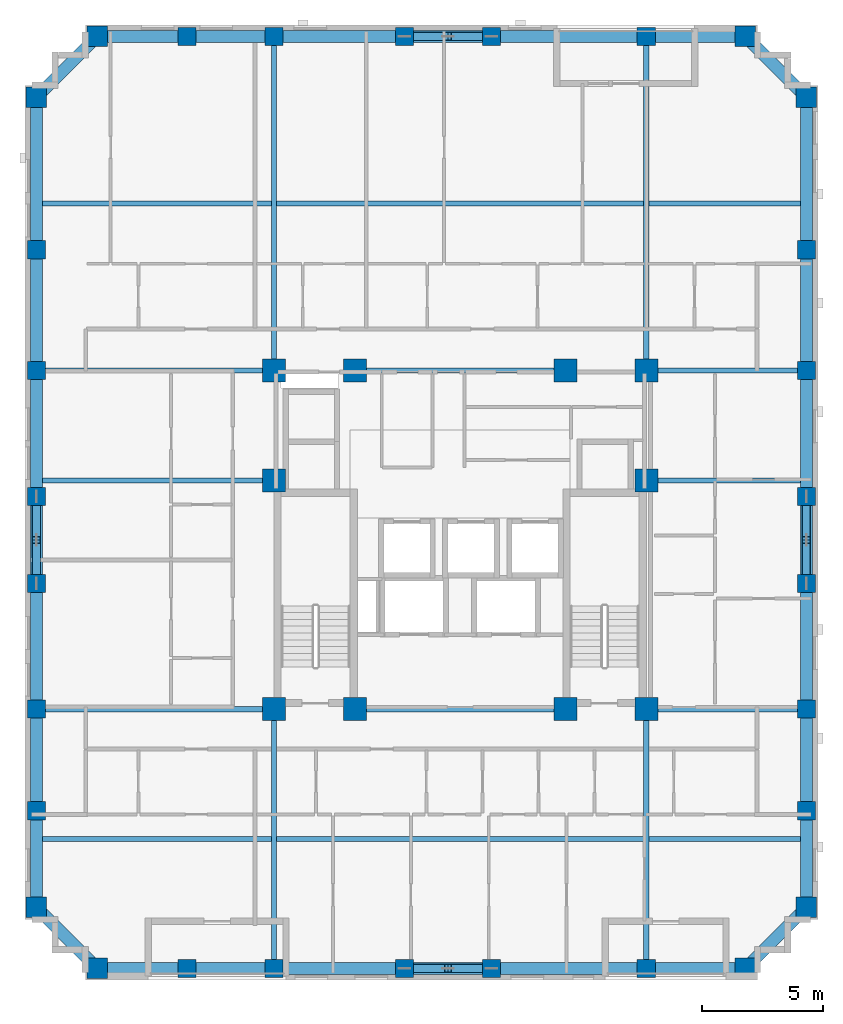
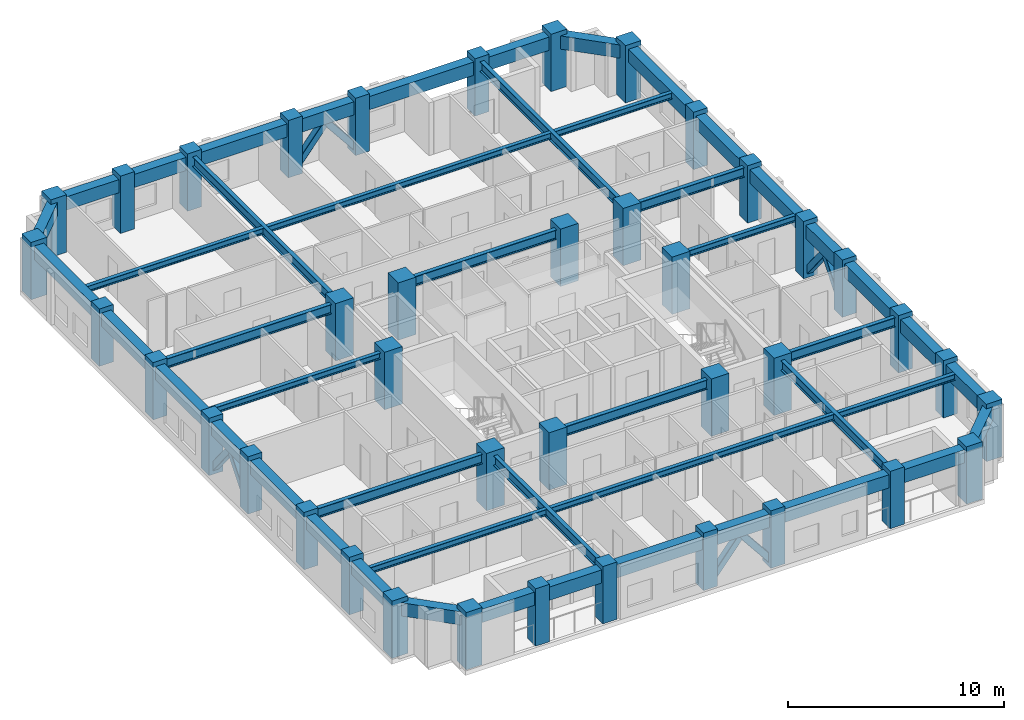
# One storey, part 1 of 11: 48 beams, 40 columns, 8 members.
"""IFC4 building model written with IfcOpenShell, lengths in metres."""

from ifc_helpers import new_model, si_unit, derived_unit, direction, frame, origin, origin_2d, place, context, subcontext, project, spatial, rectangle, hollow_rectangle, i_section, extrude, material, material_profile, profile_set, type_object, element, save


model = new_model("IFC4")

# Units and contexts
model_context = context("Model", 3, precision=1e-05, world=origin(), true_north=direction((0.0, 1.0)))
body_context = subcontext(model_context, "Body", "Model", "MODEL_VIEW")
ifc_project = project(units=[si_unit("LENGTHUNIT", "METRE"), si_unit("AREAUNIT", "SQUARE_METRE"), si_unit("VOLUMEUNIT", "CUBIC_METRE"), si_unit("PLANEANGLEUNIT", "RADIAN"), si_unit("MASSUNIT", "GRAM", prefix="KILO"), derived_unit("THERMALTRANSMITTANCEUNIT", [(si_unit("MASSUNIT", "GRAM", prefix="KILO"), 1), (si_unit("TIMEUNIT", "SECOND"), -3), (si_unit("THERMODYNAMICTEMPERATUREUNIT", "KELVIN"), -1)])], contexts=[model_context])

# Site, building, storey
site_placement = place(None, origin())
site = spatial("IfcSite", under=ifc_project, at=site_placement, CompositionType="ELEMENT")
building_placement = place(site_placement, origin())
building = spatial("IfcBuilding", under=site, at=building_placement, Name="Korrvale Station Residences", CompositionType="ELEMENT")
storey_placement = place(building_placement, frame((0.0, 0.0, 140.64990234375)))
storey = spatial("IfcBuildingStorey", under=building, at=storey_placement, Name="L40", CompositionType="ELEMENT", Elevation=140.64990234375)

# Columns
ifc_material_1 = material(Name="Concrete C60/75", Category="concrete")
ifc_material_profile_1 = material_profile(ifc_material_1, rectangle(XDim=0.75, YDim=0.75, at=origin_2d()), Name="RC750x750")
ifc_profile_set_1 = profile_set([ifc_material_profile_1], Name="Concrete C60/75")
column_type_1 = type_object("IfcColumnType", Name="COL-C-RC750x750-C6075", PredefinedType="COLUMN", material=ifc_profile_set_1)
for number, where, z_axis, x_axis, name in (
    (1, (14.199951171875, 4.280029296875, 0.0), (0.0, 0.0, 1.0), (1.0, 0.0, 0.0), "L40 Bundled-Tube South Column 02"),
    (2, (17.800048828125, 4.280029296875, 0.0), (0.0, 0.0, 1.0), (1.0, 0.0, 0.0), "L40 Bundled-Tube South Column 03"),
    (3, (23.199951171875, 4.280029296875, 0.0), (0.0, 0.0, 1.0), (1.0, 0.0, 0.0), "L40 Bundled-Tube South Column 04"),
    (4, (26.800048828125, 4.280029296875, 0.0), (0.0, 0.0, 1.0), (1.0, 0.0, 0.0), "L40 Bundled-Tube South Column 05"),
    (5, (33.199951171875, 4.280029296875, 0.0), (0.0, 0.0, 1.0), (1.0, 0.0, 0.0), "L40 Bundled-Tube South Column 06"),
    (6, (14.199951171875, 42.820068359375, 0.0), (0.0, 0.0, 1.0), (1.0, 0.0, 0.0), "L40 Bundled-Tube North Column 09"),
    (7, (17.800048828125, 42.820068359375, 0.0), (0.0, 0.0, 1.0), (1.0, 0.0, 0.0), "L40 Bundled-Tube North Column 10"),
    (8, (23.199951171875, 42.820068359375, 0.0), (0.0, 0.0, 1.0), (1.0, 0.0, 0.0), "L40 Bundled-Tube North Column 11"),
    (9, (26.800048828125, 42.820068359375, 0.0), (0.0, 0.0, 1.0), (1.0, 0.0, 0.0), "L40 Bundled-Tube North Column 12"),
    (10, (33.199951171875, 42.820068359375, 0.0), (0.0, 0.0, 1.0), (1.0, 0.0, 0.0), "L40 Bundled-Tube North Column 13"),
    (11, (7.97998046875, 10.800048828125, 0.0), (0.0, 0.0, 1.0), (1.0, 0.0, 0.0), "L40 Bundled-Tube West Column 16"),
    (12, (7.97998046875, 15.0, 0.0), (0.0, 0.0, 1.0), (1.0, 0.0, 0.0), "L40 Bundled-Tube West Column 17"),
    (13, (7.97998046875, 20.199951171875, 0.0), (0.0, 0.0, 1.0), (1.0, 0.0, 0.0), "L40 Bundled-Tube West Column 18"),
    (14, (7.97998046875, 23.800048828125, 0.0), (0.0, 0.0, 1.0), (1.0, 0.0, 0.0), "L40 Bundled-Tube West Column 19"),
    (15, (7.97998046875, 29.0, 0.0), (0.0, 0.0, 1.0), (1.0, 0.0, 0.0), "L40 Bundled-Tube West Column 20"),
    (16, (7.97998046875, 34.0, 0.0), (0.0, 0.0, 1.0), (1.0, 0.0, 0.0), "L40 Bundled-Tube West Column 21"),
    (17, (39.820068359375, 10.800048828125, 0.0), (0.0, 0.0, 1.0), (1.0, 0.0, 0.0), "L40 Bundled-Tube East Column 24"),
    (18, (39.820068359375, 15.0, 0.0), (0.0, 0.0, 1.0), (1.0, 0.0, 0.0), "L40 Bundled-Tube East Column 25"),
    (19, (39.820068359375, 20.199951171875, 0.0), (0.0, 0.0, 1.0), (1.0, 0.0, 0.0), "L40 Bundled-Tube East Column 26"),
    (20, (39.820068359375, 23.800048828125, 0.0), (0.0, 0.0, 1.0), (1.0, 0.0, 0.0), "L40 Bundled-Tube East Column 27"),
    (21, (39.820068359375, 29.0, 0.0), (0.0, 0.0, 1.0), (1.0, 0.0, 0.0), "L40 Bundled-Tube East Column 28"),
    (22, (39.820068359375, 34.0, 0.0), (0.0, 0.0, 1.0), (1.0, 0.0, 0.0), "L40 Bundled-Tube East Column 29"),
):
    element("IfcColumn", number, at=place(storey_placement, frame(where, z_axis=z_axis, x_axis=x_axis)), inside=storey, type_object=column_type_1, Name=name, PredefinedType="COLUMN", context=body_context, shape_type="SweptSolid", body=[
        extrude(rectangle(XDim=0.75, YDim=0.75, at=origin_2d()), origin(), (0.0, 0.0, 1.0), 3.25),
    ])
ifc_material_profile_2 = material_profile(ifc_material_1, rectangle(XDim=0.85009765625, YDim=0.85009765625, at=origin_2d()), Name="RC850x850")
ifc_profile_set_2 = profile_set([ifc_material_profile_2], Name="Concrete C60/75")
column_type_2 = type_object("IfcColumnType", Name="COL-C-RC850x850-C6075", PredefinedType="COLUMN", material=ifc_profile_set_2)
for number, where, z_axis, x_axis, name in (
    (23, (10.5, 4.280029296875, 0.0), (0.0, 0.0, 1.0), (1.0, 0.0, 0.0), "L40 Bundled-Tube South Column 01"),
    (24, (37.300048828125, 4.280029296875, 0.0), (0.0, 0.0, 1.0), (1.0, 0.0, 0.0), "L40 Bundled-Tube South Column 07"),
    (25, (10.5, 42.820068359375, 0.0), (0.0, 0.0, 1.0), (1.0, 0.0, 0.0), "L40 Bundled-Tube North Column 08"),
    (26, (37.300048828125, 42.820068359375, 0.0), (0.0, 0.0, 1.0), (1.0, 0.0, 0.0), "L40 Bundled-Tube North Column 14"),
    (27, (7.97998046875, 6.800048828125, 0.0), (0.0, 0.0, 1.0), (1.0, 0.0, 0.0), "L40 Bundled-Tube West Column 15"),
    (28, (7.97998046875, 40.300048828125, 0.0), (0.0, 0.0, 1.0), (1.0, 0.0, 0.0), "L40 Bundled-Tube West Column 22"),
    (29, (39.820068359375, 6.800048828125, 0.0), (0.0, 0.0, 1.0), (1.0, 0.0, 0.0), "L40 Bundled-Tube East Column 23"),
    (30, (39.820068359375, 40.300048828125, 0.0), (0.0, 0.0, 1.0), (1.0, 0.0, 0.0), "L40 Bundled-Tube East Column 30"),
):
    element("IfcColumn", number, at=place(storey_placement, frame(where, z_axis=z_axis, x_axis=x_axis)), inside=storey, type_object=column_type_2, Name=name, PredefinedType="COLUMN", context=body_context, shape_type="SweptSolid", body=[
        extrude(rectangle(XDim=0.85009765625, YDim=0.85009765625, at=origin_2d()), origin(), (0.0, 0.0, 1.0), 3.25),
    ])
ifc_material_profile_3 = material_profile(ifc_material_1, rectangle(XDim=0.949951171875, YDim=0.949951171875, at=origin_2d()), Name="RC950x950")
ifc_profile_set_3 = profile_set([ifc_material_profile_3], Name="Concrete C60/75")
column_type_3 = type_object("IfcColumnType", Name="COL-C-RC950x950-C6075", PredefinedType="COLUMN", material=ifc_profile_set_3)
for number, where, z_axis, x_axis, name in (
    (31, (17.800048828125, 15.0, 0.0), (0.0, 0.0, 1.0), (1.0, 0.0, 0.0), "L40 Core Column 01"),
    (32, (21.14990234375, 15.0, 0.0), (0.0, 0.0, 1.0), (1.0, 0.0, 0.0), "L40 Core Column 02"),
    (33, (29.85009765625, 15.0, 0.0), (0.0, 0.0, 1.0), (1.0, 0.0, 0.0), "L40 Core Column 03"),
    (34, (33.199951171875, 15.0, 0.0), (0.0, 0.0, 1.0), (1.0, 0.0, 0.0), "L40 Core Column 04"),
    (35, (17.800048828125, 29.0, 0.0), (0.0, 0.0, 1.0), (1.0, 0.0, 0.0), "L40 Core Column 05"),
    (36, (21.14990234375, 29.0, 0.0), (0.0, 0.0, 1.0), (1.0, 0.0, 0.0), "L40 Core Column 06"),
    (37, (29.85009765625, 29.0, 0.0), (0.0, 0.0, 1.0), (1.0, 0.0, 0.0), "L40 Core Column 07"),
    (38, (33.199951171875, 29.0, 0.0), (0.0, 0.0, 1.0), (1.0, 0.0, 0.0), "L40 Core Column 08"),
    (39, (17.800048828125, 24.449951171875, 0.0), (0.0, 0.0, 1.0), (1.0, 0.0, 0.0), "L40 Core Column 09"),
    (40, (33.199951171875, 24.449951171875, 0.0), (0.0, 0.0, 1.0), (1.0, 0.0, 0.0), "L40 Core Column 10"),
):
    element("IfcColumn", number, at=place(storey_placement, frame(where, z_axis=z_axis, x_axis=x_axis)), inside=storey, type_object=column_type_3, Name=name, PredefinedType="COLUMN", context=body_context, shape_type="SweptSolid", body=[
        extrude(rectangle(XDim=0.949951171875, YDim=0.949951171875, at=origin_2d()), origin(), (0.0, 0.0, 1.0), 3.25),
    ])

# Beams
ifc_material_2 = material(Name="Steel S355", Category="steel")
ifc_material_profile_4 = material_profile(ifc_material_2, i_section(OverallWidth=0.214111328125, OverallDepth=0.549072265625, WebThickness=0.0146484375, FlangeThickness=0.023681640625, FilletRadius=0.01806640625, at=origin_2d()), Name="W530x138")
ifc_profile_set_4 = profile_set([ifc_material_profile_4], Name="Steel S355")
beam_type_1 = type_object("IfcBeamType", Name="BM-BM-W530x138-S355", PredefinedType="BEAM", material=ifc_profile_set_4)
for number, where, z_axis, x_axis, name in (
    (41, (17.800048828125, 4.280029296875, 2.715576171875), (0.0, 1.0, 0.0), (-1.0, 0.0, 0.0), "L40 Bundled-Tube Web Girder 01"),
    (42, (33.199951171875, 4.280029296875, 2.715576171875), (0.0, 1.0, 0.0), (-1.0, 0.0, 0.0), "L40 Bundled-Tube Web Girder 02"),
):
    element("IfcBeam", number, at=place(storey_placement, frame(where, z_axis=z_axis, x_axis=x_axis)), inside=storey, type_object=beam_type_1, Name=name, PredefinedType="BEAM", context=body_context, shape_type="SweptSolid", body=[
        extrude(i_section(OverallWidth=0.214111328125, OverallDepth=0.549072265625, WebThickness=0.0146484375, FlangeThickness=0.023681640625, FilletRadius=0.01806640625, at=origin_2d()), origin(), (0.0, 0.0, 1.0), 10.719970703125),
    ])
for number, where, z_axis, x_axis, name in (
    (43, (17.800048828125, 29.0, 2.715576171875), (0.0, 1.0, 0.0), (-1.0, 0.0, 0.0), "L40 Bundled-Tube Web Girder 03"),
    (44, (33.199951171875, 29.0, 2.715576171875), (0.0, 1.0, 0.0), (-1.0, 0.0, 0.0), "L40 Bundled-Tube Web Girder 04"),
):
    element("IfcBeam", number, at=place(storey_placement, frame(where, z_axis=z_axis, x_axis=x_axis)), inside=storey, type_object=beam_type_1, Name=name, PredefinedType="BEAM", context=body_context, shape_type="SweptSolid", body=[
        extrude(i_section(OverallWidth=0.214111328125, OverallDepth=0.549072265625, WebThickness=0.0146484375, FlangeThickness=0.023681640625, FilletRadius=0.01806640625, at=origin_2d()), origin(), (0.0, 0.0, 1.0), 13.820068359375),
    ])
beam_1_placement = place(storey_placement, frame((7.97998046875, 15.0, 2.715576171875), z_axis=(1.0, 0.0, 0.0), x_axis=(0.0, 1.0, 0.0)))
element("IfcBeam", 45, at=beam_1_placement, inside=storey, type_object=beam_type_1, Name="L40 Bundled-Tube Web Girder 05", PredefinedType="BEAM", context=body_context, shape_type="SweptSolid", body=[
    extrude(i_section(OverallWidth=0.214111328125, OverallDepth=0.549072265625, WebThickness=0.0146484375, FlangeThickness=0.023681640625, FilletRadius=0.01806640625, at=origin_2d()), origin(), (0.0, 0.0, 1.0), 9.820068359375),
])
beam_2_placement = place(storey_placement, frame((33.199951171875, 15.0, 2.715576171875), z_axis=(1.0, 0.0, 0.0), x_axis=(0.0, 1.0, 0.0)))
element("IfcBeam", 46, at=beam_2_placement, inside=storey, type_object=beam_type_1, Name="L40 Bundled-Tube Web Girder 06", PredefinedType="BEAM", context=body_context, shape_type="SweptSolid", body=[
    extrude(i_section(OverallWidth=0.214111328125, OverallDepth=0.549072265625, WebThickness=0.0146484375, FlangeThickness=0.023681640625, FilletRadius=0.01806640625, at=origin_2d()), origin(), (0.0, 0.0, 1.0), 6.6201171875),
])
beam_3_placement = place(storey_placement, frame((7.97998046875, 29.0, 2.715576171875), z_axis=(1.0, 0.0, 0.0), x_axis=(0.0, 1.0, 0.0)))
element("IfcBeam", 47, at=beam_3_placement, inside=storey, type_object=beam_type_1, Name="L40 Bundled-Tube Web Girder 07", PredefinedType="BEAM", context=body_context, shape_type="SweptSolid", body=[
    extrude(i_section(OverallWidth=0.214111328125, OverallDepth=0.549072265625, WebThickness=0.0146484375, FlangeThickness=0.023681640625, FilletRadius=0.01806640625, at=origin_2d()), origin(), (0.0, 0.0, 1.0), 9.820068359375),
])
beam_4_placement = place(storey_placement, frame((33.199951171875, 29.0, 2.715576171875), z_axis=(1.0, 0.0, 0.0), x_axis=(0.0, 1.0, 0.0)))
element("IfcBeam", 48, at=beam_4_placement, inside=storey, type_object=beam_type_1, Name="L40 Bundled-Tube Web Girder 08", PredefinedType="BEAM", context=body_context, shape_type="SweptSolid", body=[
    extrude(i_section(OverallWidth=0.214111328125, OverallDepth=0.549072265625, WebThickness=0.0146484375, FlangeThickness=0.023681640625, FilletRadius=0.01806640625, at=origin_2d()), origin(), (0.0, 0.0, 1.0), 6.6201171875),
])
for number, where, z_axis, x_axis, name in (
    (49, (21.14990234375, 15.0, 2.715576171875), (1.0, 0.0, 0.0), (0.0, 1.0, 0.0), "L40 Bundled-Tube Web Girder 09"),
    (50, (21.14990234375, 29.0, 2.715576171875), (1.0, 0.0, 0.0), (0.0, 1.0, 0.0), "L40 Bundled-Tube Web Girder 10"),
):
    element("IfcBeam", number, at=place(storey_placement, frame(where, z_axis=z_axis, x_axis=x_axis)), inside=storey, type_object=beam_type_1, Name=name, PredefinedType="BEAM", context=body_context, shape_type="SweptSolid", body=[
        extrude(i_section(OverallWidth=0.214111328125, OverallDepth=0.549072265625, WebThickness=0.0146484375, FlangeThickness=0.023681640625, FilletRadius=0.01806640625, at=origin_2d()), origin(), (0.0, 0.0, 1.0), 8.7001953125),
    ])
ifc_material_profile_5 = material_profile(ifc_material_2, i_section(OverallWidth=0.205078125, OverallDepth=0.35400390625, WebThickness=0.009521484375, FlangeThickness=0.016845703125, FilletRadius=0.014892578125, at=origin_2d()), Name="W360x79")
ifc_profile_set_5 = profile_set([ifc_material_profile_5], Name="Steel S355")
beam_type_2 = type_object("IfcBeamType", Name="BM-JST-W360x79-S355", PredefinedType="JOIST", material=ifc_profile_set_5)
beam_5_placement = place(storey_placement, frame((8.22998046875, 9.639892578125, 2.81298828125), z_axis=(1.0, 0.0, 0.0), x_axis=(0.0, 1.0, 0.0)))
element("IfcBeam", 51, at=beam_5_placement, inside=storey, type_object=beam_type_2, Name="L40 Floor Framing Joist 01", PredefinedType="JOIST", context=body_context, shape_type="SweptSolid", body=[
    extrude(i_section(OverallWidth=0.205078125, OverallDepth=0.35400390625, WebThickness=0.009521484375, FlangeThickness=0.016845703125, FilletRadius=0.014892578125, at=origin_2d()), origin(), (0.0, 0.0, 1.0), 9.463134765625),
])
beam_6_placement = place(storey_placement, frame((17.906982421875, 9.639892578125, 2.81298828125), z_axis=(1.0, 0.0, 0.0), x_axis=(0.0, 1.0, 0.0)))
element("IfcBeam", 52, at=beam_6_placement, inside=storey, type_object=beam_type_2, Name="L40 Floor Framing Joist 02", PredefinedType="JOIST", context=body_context, shape_type="SweptSolid", body=[
    extrude(i_section(OverallWidth=0.205078125, OverallDepth=0.35400390625, WebThickness=0.009521484375, FlangeThickness=0.016845703125, FilletRadius=0.014892578125, at=origin_2d()), origin(), (0.0, 0.0, 1.0), 15.18603515625),
])
beam_7_placement = place(storey_placement, frame((33.306884765625, 9.639892578125, 2.81298828125), z_axis=(1.0, 0.0, 0.0), x_axis=(0.0, 1.0, 0.0)))
element("IfcBeam", 53, at=beam_7_placement, inside=storey, type_object=beam_type_2, Name="L40 Floor Framing Joist 03", PredefinedType="JOIST", context=body_context, shape_type="SweptSolid", body=[
    extrude(i_section(OverallWidth=0.205078125, OverallDepth=0.35400390625, WebThickness=0.009521484375, FlangeThickness=0.016845703125, FilletRadius=0.014892578125, at=origin_2d()), origin(), (0.0, 0.0, 1.0), 6.26318359375),
])
beam_8_placement = place(storey_placement, frame((8.22998046875, 35.909912109375, 2.81298828125), z_axis=(1.0, 0.0, 0.0), x_axis=(0.0, 1.0, 0.0)))
element("IfcBeam", 54, at=beam_8_placement, inside=storey, type_object=beam_type_2, Name="L40 Floor Framing Joist 04", PredefinedType="JOIST", context=body_context, shape_type="SweptSolid", body=[
    extrude(i_section(OverallWidth=0.205078125, OverallDepth=0.35400390625, WebThickness=0.009521484375, FlangeThickness=0.016845703125, FilletRadius=0.014892578125, at=origin_2d()), origin(), (0.0, 0.0, 1.0), 9.463134765625),
])
beam_9_placement = place(storey_placement, frame((17.906982421875, 35.909912109375, 2.81298828125), z_axis=(1.0, 0.0, 0.0), x_axis=(0.0, 1.0, 0.0)))
element("IfcBeam", 55, at=beam_9_placement, inside=storey, type_object=beam_type_2, Name="L40 Floor Framing Joist 05", PredefinedType="JOIST", context=body_context, shape_type="SweptSolid", body=[
    extrude(i_section(OverallWidth=0.205078125, OverallDepth=0.35400390625, WebThickness=0.009521484375, FlangeThickness=0.016845703125, FilletRadius=0.014892578125, at=origin_2d()), origin(), (0.0, 0.0, 1.0), 15.18603515625),
])
beam_10_placement = place(storey_placement, frame((33.306884765625, 35.909912109375, 2.81298828125), z_axis=(1.0, 0.0, 0.0), x_axis=(0.0, 1.0, 0.0)))
element("IfcBeam", 56, at=beam_10_placement, inside=storey, type_object=beam_type_2, Name="L40 Floor Framing Joist 06", PredefinedType="JOIST", context=body_context, shape_type="SweptSolid", body=[
    extrude(i_section(OverallWidth=0.205078125, OverallDepth=0.35400390625, WebThickness=0.009521484375, FlangeThickness=0.016845703125, FilletRadius=0.014892578125, at=origin_2d()), origin(), (0.0, 0.0, 1.0), 6.26318359375),
])
beam_11_placement = place(storey_placement, frame((33.199951171875, 24.449951171875, 2.81298828125), z_axis=(1.0, 0.0, 0.0), x_axis=(0.0, 1.0, 0.0)))
element("IfcBeam", 57, at=beam_11_placement, inside=storey, type_object=beam_type_2, Name="L40 Floor Framing Joist 07", PredefinedType="JOIST", context=body_context, shape_type="SweptSolid", body=[
    extrude(i_section(OverallWidth=0.205078125, OverallDepth=0.35400390625, WebThickness=0.009521484375, FlangeThickness=0.016845703125, FilletRadius=0.014892578125, at=origin_2d()), origin(), (0.0, 0.0, 1.0), 6.3701171875),
])
beam_12_placement = place(storey_placement, frame((8.22998046875, 24.449951171875, 2.81298828125), z_axis=(1.0, 0.0, 0.0), x_axis=(0.0, 1.0, 0.0)))
element("IfcBeam", 58, at=beam_12_placement, inside=storey, type_object=beam_type_2, Name="L40 Floor Framing Joist 08", PredefinedType="JOIST", context=body_context, shape_type="SweptSolid", body=[
    extrude(i_section(OverallWidth=0.205078125, OverallDepth=0.35400390625, WebThickness=0.009521484375, FlangeThickness=0.016845703125, FilletRadius=0.014892578125, at=origin_2d()), origin(), (0.0, 0.0, 1.0), 9.570068359375),
])
ifc_material_profile_6 = material_profile(ifc_material_1, rectangle(XDim=0.5, YDim=0.75, at=origin_2d()), Name="RCB500x750")
ifc_profile_set_6 = profile_set([ifc_material_profile_6], Name="Concrete C60/75")
beam_type_3 = type_object("IfcBeamType", Name="BM-SPB-RCB500x750-C6075", PredefinedType="SPANDREL", material=ifc_profile_set_6)
beam_13_placement = place(storey_placement, frame((10.5, 4.280029296875, 2.614990234375), z_axis=(1.0, 0.0, 0.0), x_axis=(0.0, 1.0, 0.0)))
element("IfcBeam", 59, at=beam_13_placement, inside=storey, type_object=beam_type_3, Name="L40 South Tube Spandrel 01", PredefinedType="SPANDREL", context=body_context, shape_type="SweptSolid", body=[
    extrude(rectangle(XDim=0.5, YDim=0.75, at=origin_2d()), origin(), (0.0, 0.0, 1.0), 3.699951171875),
])
beam_14_placement = place(storey_placement, frame((14.199951171875, 4.280029296875, 2.614990234375), z_axis=(1.0, 0.0, 0.0), x_axis=(0.0, 1.0, 0.0)))
element("IfcBeam", 60, at=beam_14_placement, inside=storey, type_object=beam_type_3, Name="L40 South Tube Spandrel 02", PredefinedType="SPANDREL", context=body_context, shape_type="SweptSolid", body=[
    extrude(rectangle(XDim=0.5, YDim=0.75, at=origin_2d()), origin(), (0.0, 0.0, 1.0), 3.60009765625),
])
beam_15_placement = place(storey_placement, frame((17.800048828125, 4.280029296875, 2.614990234375), z_axis=(1.0, 0.0, 0.0), x_axis=(0.0, 1.0, 0.0)))
element("IfcBeam", 61, at=beam_15_placement, inside=storey, type_object=beam_type_3, Name="L40 South Tube Spandrel 03", PredefinedType="SPANDREL", context=body_context, shape_type="SweptSolid", body=[
    extrude(rectangle(XDim=0.5, YDim=0.75, at=origin_2d()), origin(), (0.0, 0.0, 1.0), 5.39990234375),
])
beam_16_placement = place(storey_placement, frame((23.199951171875, 4.280029296875, 2.614990234375), z_axis=(1.0, 0.0, 0.0), x_axis=(0.0, 1.0, 0.0)))
element("IfcBeam", 62, at=beam_16_placement, inside=storey, type_object=beam_type_3, Name="L40 South Tube Spandrel 04", PredefinedType="SPANDREL", context=body_context, shape_type="SweptSolid", body=[
    extrude(rectangle(XDim=0.5, YDim=0.75, at=origin_2d()), origin(), (0.0, 0.0, 1.0), 3.60009765625),
])
beam_17_placement = place(storey_placement, frame((26.800048828125, 4.280029296875, 2.614990234375), z_axis=(1.0, 0.0, 0.0), x_axis=(0.0, 1.0, 0.0)))
element("IfcBeam", 63, at=beam_17_placement, inside=storey, type_object=beam_type_3, Name="L40 South Tube Spandrel 05", PredefinedType="SPANDREL", context=body_context, shape_type="SweptSolid", body=[
    extrude(rectangle(XDim=0.5, YDim=0.75, at=origin_2d()), origin(), (0.0, 0.0, 1.0), 6.39990234375),
])
beam_18_placement = place(storey_placement, frame((33.199951171875, 4.280029296875, 2.614990234375), z_axis=(1.0, 0.0, 0.0), x_axis=(0.0, 1.0, 0.0)))
element("IfcBeam", 64, at=beam_18_placement, inside=storey, type_object=beam_type_3, Name="L40 South Tube Spandrel 06", PredefinedType="SPANDREL", context=body_context, shape_type="SweptSolid", body=[
    extrude(rectangle(XDim=0.5, YDim=0.75, at=origin_2d()), origin(), (0.0, 0.0, 1.0), 4.10009765625),
])
beam_19_placement = place(storey_placement, frame((10.5, 42.820068359375, 2.614990234375), z_axis=(1.0, 0.0, 0.0), x_axis=(0.0, 1.0, 0.0)))
element("IfcBeam", 65, at=beam_19_placement, inside=storey, type_object=beam_type_3, Name="L40 North Tube Spandrel 07", PredefinedType="SPANDREL", context=body_context, shape_type="SweptSolid", body=[
    extrude(rectangle(XDim=0.5, YDim=0.75, at=origin_2d()), origin(), (0.0, 0.0, 1.0), 3.699951171875),
])
beam_20_placement = place(storey_placement, frame((14.199951171875, 42.820068359375, 2.614990234375), z_axis=(1.0, 0.0, 0.0), x_axis=(0.0, 1.0, 0.0)))
element("IfcBeam", 66, at=beam_20_placement, inside=storey, type_object=beam_type_3, Name="L40 North Tube Spandrel 08", PredefinedType="SPANDREL", context=body_context, shape_type="SweptSolid", body=[
    extrude(rectangle(XDim=0.5, YDim=0.75, at=origin_2d()), origin(), (0.0, 0.0, 1.0), 3.60009765625),
])
beam_21_placement = place(storey_placement, frame((17.800048828125, 42.820068359375, 2.614990234375), z_axis=(1.0, 0.0, 0.0), x_axis=(0.0, 1.0, 0.0)))
element("IfcBeam", 67, at=beam_21_placement, inside=storey, type_object=beam_type_3, Name="L40 North Tube Spandrel 09", PredefinedType="SPANDREL", context=body_context, shape_type="SweptSolid", body=[
    extrude(rectangle(XDim=0.5, YDim=0.75, at=origin_2d()), origin(), (0.0, 0.0, 1.0), 5.39990234375),
])
beam_22_placement = place(storey_placement, frame((23.199951171875, 42.820068359375, 2.614990234375), z_axis=(1.0, 0.0, 0.0), x_axis=(0.0, 1.0, 0.0)))
element("IfcBeam", 68, at=beam_22_placement, inside=storey, type_object=beam_type_3, Name="L40 North Tube Spandrel 10", PredefinedType="SPANDREL", context=body_context, shape_type="SweptSolid", body=[
    extrude(rectangle(XDim=0.5, YDim=0.75, at=origin_2d()), origin(), (0.0, 0.0, 1.0), 3.60009765625),
])
beam_23_placement = place(storey_placement, frame((26.800048828125, 42.820068359375, 2.614990234375), z_axis=(1.0, 0.0, 0.0), x_axis=(0.0, 1.0, 0.0)))
element("IfcBeam", 69, at=beam_23_placement, inside=storey, type_object=beam_type_3, Name="L40 North Tube Spandrel 11", PredefinedType="SPANDREL", context=body_context, shape_type="SweptSolid", body=[
    extrude(rectangle(XDim=0.5, YDim=0.75, at=origin_2d()), origin(), (0.0, 0.0, 1.0), 6.39990234375),
])
beam_24_placement = place(storey_placement, frame((33.199951171875, 42.820068359375, 2.614990234375), z_axis=(1.0, 0.0, 0.0), x_axis=(0.0, 1.0, 0.0)))
element("IfcBeam", 70, at=beam_24_placement, inside=storey, type_object=beam_type_3, Name="L40 North Tube Spandrel 12", PredefinedType="SPANDREL", context=body_context, shape_type="SweptSolid", body=[
    extrude(rectangle(XDim=0.5, YDim=0.75, at=origin_2d()), origin(), (0.0, 0.0, 1.0), 4.10009765625),
])
beam_25_placement = place(storey_placement, frame((7.97998046875, 6.800048828125, 2.614990234375), z_axis=(0.0, 1.0, 0.0), x_axis=(-1.0, 0.0, 0.0)))
element("IfcBeam", 71, at=beam_25_placement, inside=storey, type_object=beam_type_3, Name="L40 West Tube Spandrel 13", PredefinedType="SPANDREL", context=body_context, shape_type="SweptSolid", body=[
    extrude(rectangle(XDim=0.5, YDim=0.75, at=origin_2d()), origin(), (0.0, 0.0, 1.0), 4.0),
])
beam_26_placement = place(storey_placement, frame((7.97998046875, 10.800048828125, 2.614990234375), z_axis=(0.0, 1.0, 0.0), x_axis=(-1.0, 0.0, 0.0)))
element("IfcBeam", 72, at=beam_26_placement, inside=storey, type_object=beam_type_3, Name="L40 West Tube Spandrel 14", PredefinedType="SPANDREL", context=body_context, shape_type="SweptSolid", body=[
    extrude(rectangle(XDim=0.5, YDim=0.75, at=origin_2d()), origin(), (0.0, 0.0, 1.0), 4.199951171875),
])
beam_27_placement = place(storey_placement, frame((7.97998046875, 15.0, 2.614990234375), z_axis=(0.0, 1.0, 0.0), x_axis=(-1.0, 0.0, 0.0)))
element("IfcBeam", 73, at=beam_27_placement, inside=storey, type_object=beam_type_3, Name="L40 West Tube Spandrel 15", PredefinedType="SPANDREL", context=body_context, shape_type="SweptSolid", body=[
    extrude(rectangle(XDim=0.5, YDim=0.75, at=origin_2d()), origin(), (0.0, 0.0, 1.0), 5.199951171875),
])
beam_28_placement = place(storey_placement, frame((7.97998046875, 20.199951171875, 2.614990234375), z_axis=(0.0, 1.0, 0.0), x_axis=(-1.0, 0.0, 0.0)))
element("IfcBeam", 74, at=beam_28_placement, inside=storey, type_object=beam_type_3, Name="L40 West Tube Spandrel 16", PredefinedType="SPANDREL", context=body_context, shape_type="SweptSolid", body=[
    extrude(rectangle(XDim=0.5, YDim=0.75, at=origin_2d()), origin(), (0.0, 0.0, 1.0), 3.60009765625),
])
beam_29_placement = place(storey_placement, frame((7.97998046875, 23.800048828125, 2.614990234375), z_axis=(0.0, 1.0, 0.0), x_axis=(-1.0, 0.0, 0.0)))
element("IfcBeam", 75, at=beam_29_placement, inside=storey, type_object=beam_type_3, Name="L40 West Tube Spandrel 17", PredefinedType="SPANDREL", context=body_context, shape_type="SweptSolid", body=[
    extrude(rectangle(XDim=0.5, YDim=0.75, at=origin_2d()), origin(), (0.0, 0.0, 1.0), 5.199951171875),
])
beam_30_placement = place(storey_placement, frame((7.97998046875, 29.0, 2.614990234375), z_axis=(0.0, 1.0, 0.0), x_axis=(-1.0, 0.0, 0.0)))
element("IfcBeam", 76, at=beam_30_placement, inside=storey, type_object=beam_type_3, Name="L40 West Tube Spandrel 18", PredefinedType="SPANDREL", context=body_context, shape_type="SweptSolid", body=[
    extrude(rectangle(XDim=0.5, YDim=0.75, at=origin_2d()), origin(), (0.0, 0.0, 1.0), 5.0),
])
beam_31_placement = place(storey_placement, frame((7.97998046875, 34.0, 2.614990234375), z_axis=(0.0, 1.0, 0.0), x_axis=(-1.0, 0.0, 0.0)))
element("IfcBeam", 77, at=beam_31_placement, inside=storey, type_object=beam_type_3, Name="L40 West Tube Spandrel 19", PredefinedType="SPANDREL", context=body_context, shape_type="SweptSolid", body=[
    extrude(rectangle(XDim=0.5, YDim=0.75, at=origin_2d()), origin(), (0.0, 0.0, 1.0), 6.300048828125),
])
beam_32_placement = place(storey_placement, frame((39.820068359375, 6.800048828125, 2.614990234375), z_axis=(0.0, 1.0, 0.0), x_axis=(-1.0, 0.0, 0.0)))
element("IfcBeam", 78, at=beam_32_placement, inside=storey, type_object=beam_type_3, Name="L40 East Tube Spandrel 20", PredefinedType="SPANDREL", context=body_context, shape_type="SweptSolid", body=[
    extrude(rectangle(XDim=0.5, YDim=0.75, at=origin_2d()), origin(), (0.0, 0.0, 1.0), 4.0),
])
beam_33_placement = place(storey_placement, frame((39.820068359375, 10.800048828125, 2.614990234375), z_axis=(0.0, 1.0, 0.0), x_axis=(-1.0, 0.0, 0.0)))
element("IfcBeam", 79, at=beam_33_placement, inside=storey, type_object=beam_type_3, Name="L40 East Tube Spandrel 21", PredefinedType="SPANDREL", context=body_context, shape_type="SweptSolid", body=[
    extrude(rectangle(XDim=0.5, YDim=0.75, at=origin_2d()), origin(), (0.0, 0.0, 1.0), 4.199951171875),
])
beam_34_placement = place(storey_placement, frame((39.820068359375, 15.0, 2.614990234375), z_axis=(0.0, 1.0, 0.0), x_axis=(-1.0, 0.0, 0.0)))
element("IfcBeam", 80, at=beam_34_placement, inside=storey, type_object=beam_type_3, Name="L40 East Tube Spandrel 22", PredefinedType="SPANDREL", context=body_context, shape_type="SweptSolid", body=[
    extrude(rectangle(XDim=0.5, YDim=0.75, at=origin_2d()), origin(), (0.0, 0.0, 1.0), 5.199951171875),
])
beam_35_placement = place(storey_placement, frame((39.820068359375, 20.199951171875, 2.614990234375), z_axis=(0.0, 1.0, 0.0), x_axis=(-1.0, 0.0, 0.0)))
element("IfcBeam", 81, at=beam_35_placement, inside=storey, type_object=beam_type_3, Name="L40 East Tube Spandrel 23", PredefinedType="SPANDREL", context=body_context, shape_type="SweptSolid", body=[
    extrude(rectangle(XDim=0.5, YDim=0.75, at=origin_2d()), origin(), (0.0, 0.0, 1.0), 3.60009765625),
])
beam_36_placement = place(storey_placement, frame((39.820068359375, 23.800048828125, 2.614990234375), z_axis=(0.0, 1.0, 0.0), x_axis=(-1.0, 0.0, 0.0)))
element("IfcBeam", 82, at=beam_36_placement, inside=storey, type_object=beam_type_3, Name="L40 East Tube Spandrel 24", PredefinedType="SPANDREL", context=body_context, shape_type="SweptSolid", body=[
    extrude(rectangle(XDim=0.5, YDim=0.75, at=origin_2d()), origin(), (0.0, 0.0, 1.0), 5.199951171875),
])
beam_37_placement = place(storey_placement, frame((39.820068359375, 29.0, 2.614990234375), z_axis=(0.0, 1.0, 0.0), x_axis=(-1.0, 0.0, 0.0)))
element("IfcBeam", 83, at=beam_37_placement, inside=storey, type_object=beam_type_3, Name="L40 East Tube Spandrel 25", PredefinedType="SPANDREL", context=body_context, shape_type="SweptSolid", body=[
    extrude(rectangle(XDim=0.5, YDim=0.75, at=origin_2d()), origin(), (0.0, 0.0, 1.0), 5.0),
])
beam_38_placement = place(storey_placement, frame((39.820068359375, 34.0, 2.614990234375), z_axis=(0.0, 1.0, 0.0), x_axis=(-1.0, 0.0, 0.0)))
element("IfcBeam", 84, at=beam_38_placement, inside=storey, type_object=beam_type_3, Name="L40 East Tube Spandrel 26", PredefinedType="SPANDREL", context=body_context, shape_type="SweptSolid", body=[
    extrude(rectangle(XDim=0.5, YDim=0.75, at=origin_2d()), origin(), (0.0, 0.0, 1.0), 6.300048828125),
])
for number, where, z_axis, x_axis, name in (
    (85, (10.5, 4.280029296875, 2.614990234375), (-0.707106781187, 0.707106781187, 0.0), (-0.707106781187, -0.707106781187, 0.0), "L40 Serrated Corner Spandrel 27"),
    (86, (37.300048828125, 4.280029296875, 2.614990234375), (0.707106781187, 0.707106781187, 0.0), (-0.707106781187, 0.707106781187, 0.0), "L40 Serrated Corner Spandrel 28"),
    (87, (37.300048828125, 42.820068359375, 2.614990234375), (0.707106781187, -0.707106781187, 0.0), (0.707106781187, 0.707106781187, 0.0), "L40 Serrated Corner Spandrel 29"),
    (88, (10.5, 42.820068359375, 2.614990234375), (-0.707106781187, -0.707106781187, 0.0), (0.707106781187, -0.707106781187, 0.0), "L40 Serrated Corner Spandrel 30"),
):
    element("IfcBeam", number, at=place(storey_placement, frame(where, z_axis=z_axis, x_axis=x_axis)), inside=storey, type_object=beam_type_3, Name=name, PredefinedType="SPANDREL", context=body_context, shape_type="SweptSolid", body=[
        extrude(rectangle(XDim=0.5, YDim=0.75, at=origin_2d()), origin(), (0.0, 0.0, 1.0), 3.56396484375),
    ])

# Members
ifc_material_profile_7 = material_profile(ifc_material_2, hollow_rectangle(XDim=0.355712890625, YDim=0.355712890625, WallThickness=0.015869140625, InnerFilletRadius=0.015869140625, OuterFilletRadius=0.03173828125, at=origin_2d()), Name="HSS356x356x16")
ifc_profile_set_7 = profile_set([ifc_material_profile_7], Name="Steel S355")
member_type = type_object("IfcMemberType", Name="MBR-BR-HSS356x356x16", PredefinedType="BRACE", material=ifc_profile_set_7)
for number, where, z_axis, x_axis, name in (
    (89, (23.199951171875, 4.280029296875, 0.02001953125), (0.62640309239, 0.0, 0.779499304582), (0.0, 1.0, 0.0), "L40 S Perimeter Tube Wind Brace 1"),
    (90, (26.800048828125, 4.280029296875, 0.02001953125), (-0.62640309239, 0.0, 0.779499304582), (0.0, -1.0, 0.0), "L40 S Perimeter Tube Wind Brace 2"),
    (91, (23.199951171875, 42.820068359375, 0.02001953125), (0.62640309239, 0.0, 0.779499304582), (0.0, 1.0, 0.0), "L40 N Perimeter Tube Wind Brace 1"),
    (92, (26.800048828125, 42.820068359375, 0.02001953125), (-0.62640309239, 0.0, 0.779499304582), (0.0, -1.0, 0.0), "L40 N Perimeter Tube Wind Brace 2"),
    (93, (7.97998046875, 20.199951171875, 0.02001953125), (0.0, 0.62640309239, 0.779499304582), (-1.0, 0.0, 0.0), "L40 W Perimeter Tube Wind Brace 1"),
    (94, (7.97998046875, 23.800048828125, 0.02001953125), (0.0, -0.62640309239, 0.779499304582), (1.0, 0.0, 0.0), "L40 W Perimeter Tube Wind Brace 2"),
    (95, (39.820068359375, 20.199951171875, 0.02001953125), (0.0, 0.62640309239, 0.779499304582), (-1.0, 0.0, 0.0), "L40 E Perimeter Tube Wind Brace 1"),
    (96, (39.820068359375, 23.800048828125, 0.02001953125), (0.0, -0.62640309239, 0.779499304582), (1.0, 0.0, 0.0), "L40 E Perimeter Tube Wind Brace 2"),
):
    element("IfcMember", number, at=place(storey_placement, frame(where, z_axis=z_axis, x_axis=x_axis)), inside=storey, type_object=member_type, Name=name, PredefinedType="BRACE", context=body_context, shape_type="SweptSolid", body=[
        extrude(hollow_rectangle(XDim=0.355712890625, YDim=0.355712890625, WallThickness=0.015869140625, InnerFilletRadius=0.015869140625, OuterFilletRadius=0.03173828125, at=origin_2d()), origin(), (0.0, 0.0, 1.0), 2.87353515625),
    ])

save(model, "model.ifc")
